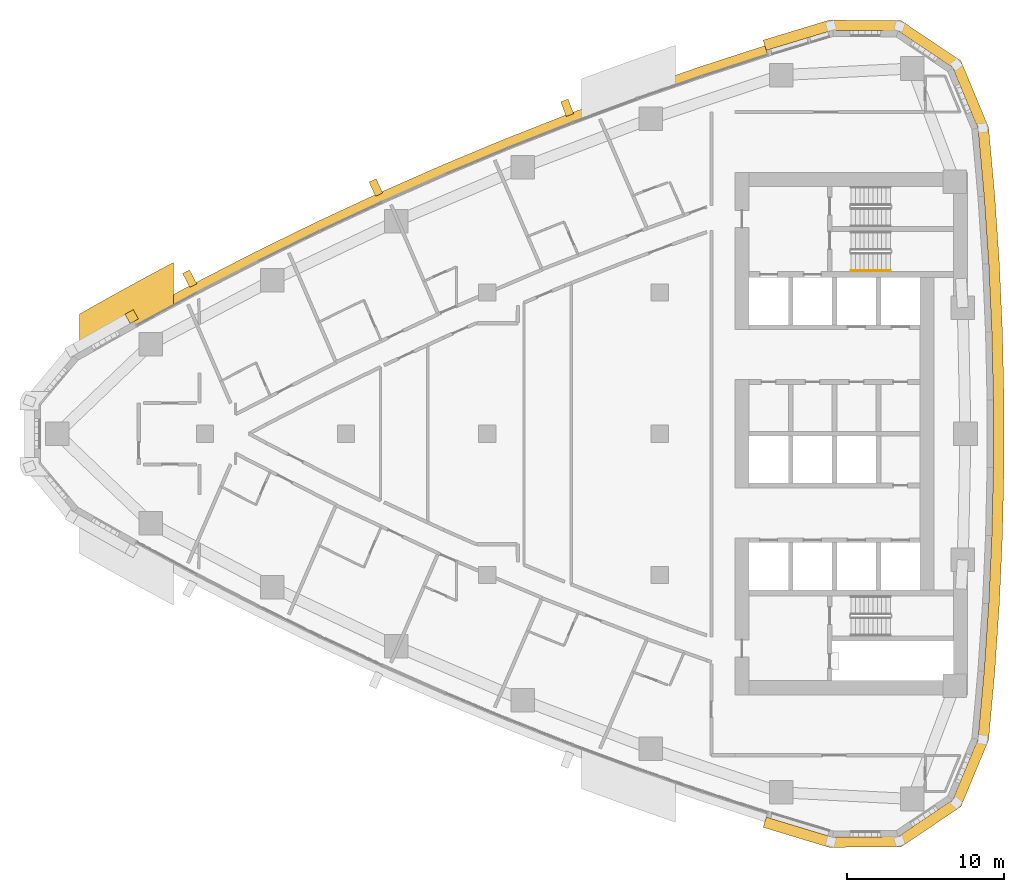
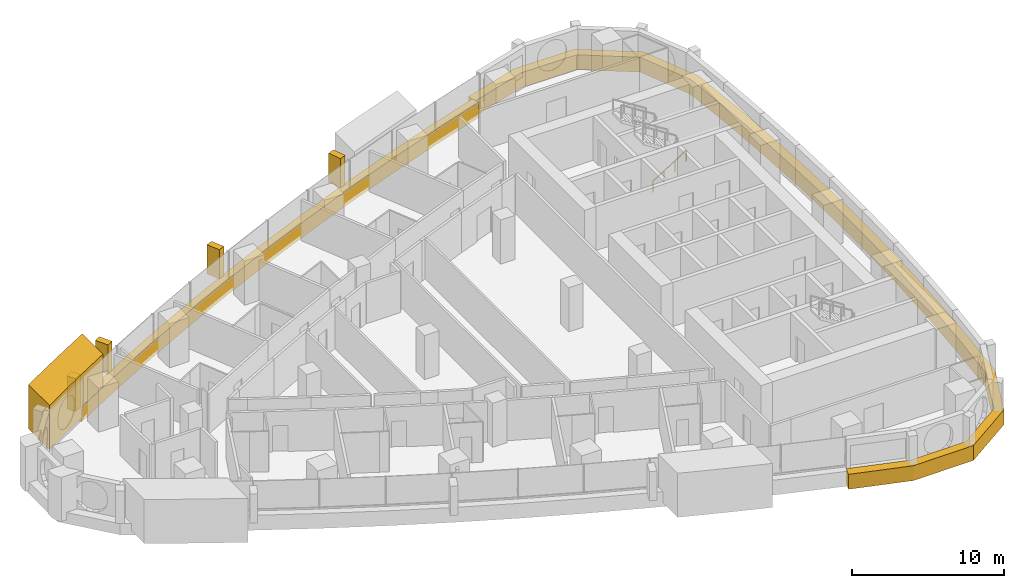
# One storey, part 16 of 17: 7 coverings, 1 railing.
"""IFC4 building model written with IfcOpenShell, lengths in metres."""

from ifc_helpers import new_model, si_unit, direction, frame, frame_2d, origin, origin_2d, place, context, subcontext, project, spatial, polyline, rectangle, circle, outline, extrude, material, layer, layer_set, type_object, element, save


model = new_model("IFC4")

# Units and contexts
model_context = context("Model", 3, precision=1e-05, world=origin(), true_north=direction((0.0, 1.0)))
body_context = subcontext(model_context, "Body", "Model", "MODEL_VIEW")
ifc_project = project(units=[si_unit("LENGTHUNIT", "METRE"), si_unit("AREAUNIT", "SQUARE_METRE"), si_unit("VOLUMEUNIT", "CUBIC_METRE"), si_unit("PLANEANGLEUNIT", "RADIAN"), si_unit("MASSUNIT", "GRAM", prefix="KILO")], contexts=[model_context])

# Site, building, storey
site_placement = place(None, origin())
site = spatial("IfcSite", under=ifc_project, at=site_placement, CompositionType="ELEMENT")
building_placement = place(site_placement, origin())
building = spatial("IfcBuilding", under=site, at=building_placement, Name="Ostrand Prow Hotel Tower", CompositionType="ELEMENT")
storey_placement = place(building_placement, frame((0.0, 0.0, 144.39990234375)))
storey = spatial("IfcBuildingStorey", under=building, at=storey_placement, Name="L35", CompositionType="ELEMENT", Elevation=144.39990234375)

# Coverings
ifc_material_1 = material(Name="Bronze anodised aluminium cladding", Category="aluminium")
ifc_layer_1 = layer(ifc_material_1, 0.60009765625)
ifc_layer_set_1 = layer_set([ifc_layer_1], Name="Bronze anodised aluminium cladding")
covering_type_1 = type_object("IfcCoveringType", Name="Bronze spandrel band 1200x600", PredefinedType="CLADDING", material=ifc_layer_set_1)
covering_1_placement = place(storey_placement, frame((0.0, 0.0, -0.2998046875)))
element("IfcCovering", 1, at=covering_1_placement, inside=storey, type_object=covering_type_1, Name="Spandrel band N1", PredefinedType="CLADDING", context=body_context, shape_type="SweptSolid", body=[
    extrude(outline(polyline([(51.705322265625, 24.74560546875), (47.522705078125, 23.385009765625), (43.368408203125, 21.9404296875), (39.243896484375, 20.41259765625), (35.15087890625, 18.80224609375), (31.091064453125, 17.110107421875), (27.06591796875, 15.336669921875), (23.077392578125, 13.482666015625), (19.126953125, 11.548828125), (15.21630859375, 9.535888671875), (11.3466796875, 7.445068359375), (11.63720703125, 6.920166015625), (15.49609375, 9.00537109375), (19.396240234375, 11.0126953125), (23.335693359375, 12.941162109375), (27.3134765625, 14.7900390625), (31.327392578125, 16.55859375), (35.376220703125, 18.24609375), (39.457763671875, 19.85205078125), (43.571044921875, 21.375732421875), (47.714111328125, 22.81640625), (51.88525390625, 24.17333984375), (51.705322265625, 24.74560546875)])), origin(), (0.0, 0.0, 1.0), 1.199951171875),
])
covering_2_placement = place(storey_placement, frame((0.0, 0.0, -0.2998046875)))
element("IfcCovering", 2, at=covering_2_placement, inside=storey, type_object=covering_type_1, Name="Spandrel band back 1", PredefinedType="CLADDING", context=body_context, shape_type="SweptSolid", body=[
    extrude(outline(polyline([(51.594970703125, -25.0966796875), (55.811279296875, -26.375244140625), (60.402099609375, -26.339111328125), (64.211181640625, -23.77587890625), (65.973388671875, -19.53662109375), (66.3662109375, -15.205322265625), (66.66064453125, -10.86669921875), (66.857177734375, -6.522216796875), (66.95556640625, -2.17431640625), (66.95556640625, 2.17431640625), (66.857177734375, 6.522216796875), (66.66064453125, 10.86669921875), (66.3662109375, 15.205322265625), (65.973388671875, 19.53662109375), (64.211181640625, 23.77587890625), (60.402099609375, 26.339111328125), (55.811279296875, 26.375244140625), (51.594970703125, 25.0966796875), (51.798828125, 24.447998046875), (56.001953125, 25.722412109375), (60.201171875, 25.689697265625), (63.68505859375, 23.34521484375), (65.296875, 19.467529296875), (65.688232421875, 15.151611328125), (65.981689453125, 10.828125), (66.177490234375, 6.4990234375), (66.275634765625, 2.166748046875), (66.275634765625, -2.166748046875), (66.177490234375, -6.4990234375), (65.981689453125, -10.828125), (65.688232421875, -15.151611328125), (65.296875, -19.467529296875), (63.68505859375, -23.34521484375), (60.201171875, -25.689697265625), (56.001953125, -25.722412109375), (51.798828125, -24.447998046875), (51.594970703125, -25.0966796875)])), origin(), (0.0, 0.0, 1.0), 1.199951171875),
])
ifc_material_2 = material(Name="Limestone cladding", Category="masonry")
ifc_layer_2 = layer(ifc_material_2, 5.0)
ifc_layer_set_2 = layer_set([ifc_layer_2], Name="Limestone cladding")
covering_type_2 = type_object("IfcCoveringType", Name="Portal jamb pilaster limestone", PredefinedType="CLADDING", material=ifc_layer_set_2)
covering_3_placement = place(storey_placement, origin())
element("IfcCovering", 3, at=covering_3_placement, inside=storey, type_object=covering_type_2, Name="Portal jamb NA L35", PredefinedType="CLADDING", context=body_context, shape_type="SweptSolid", body=[
    extrude(outline(polyline([(8.0, 4.861572265625), (9.0, 5.436767578125), (10.0, 6.0048828125), (11.0, 6.566162109375), (12.0, 7.12060546875), (13.0, 7.66796875), (14.0, 8.208740234375), (14.0, 10.92919921875), (13.0, 10.39599609375), (12.0, 9.856201171875), (11.0, 9.3095703125), (10.0, 8.75634765625), (9.0, 8.1962890625), (8.0, 7.62939453125), (8.0, 4.861572265625)])), origin(), (0.0, 0.0, 1.0), 3.550048828125),
])
ifc_material_3 = material(Name="Limestone cladding", Category="masonry")
ifc_layer_3 = layer(ifc_material_3, 0.5)
ifc_layer_set_3 = layer_set([ifc_layer_3], Name="Limestone cladding")
covering_type_3 = type_object("IfcCoveringType", Name="Precast stone fin 500x900", PredefinedType="CLADDING", material=ifc_layer_set_3)
covering_4_placement = place(storey_placement, frame((39.279541015625, 20.319091796875, 0.900146484375), z_axis=(0.0, 0.0, 1.0), x_axis=(-0.356868116991, 0.93415477683, 0.0)))
element("IfcCovering", 4, at=covering_4_placement, inside=storey, type_object=covering_type_3, Name="Stone fin N 4", PredefinedType="CLADDING", context=body_context, shape_type="SweptSolid", body=[
    extrude(rectangle(XDim=1.000244140625, YDim=0.5, at=frame_2d((0.5, 0.0))), origin(), (0.0, 0.0, 1.0), 2.349853515625),
])
covering_5_placement = place(storey_placement, frame((27.107177734375, 15.24560546875, 0.900146484375), z_axis=(0.0, 0.0, 1.0), x_axis=(-0.412404328124, 0.911000916654, 0.0)))
element("IfcCovering", 5, at=covering_5_placement, inside=storey, type_object=covering_type_3, Name="Stone fin N 7", PredefinedType="CLADDING", context=body_context, shape_type="SweptSolid", body=[
    extrude(rectangle(XDim=0.999755859375, YDim=0.5, at=frame_2d((0.5, 0.0))), origin(), (0.0, 0.0, 1.0), 2.349853515625),
])
covering_6_placement = place(storey_placement, frame((15.2626953125, 9.447509765625, 0.900146484375), z_axis=(0.0, 0.0, 1.0), x_axis=(-0.466350109869, 0.884600234584, 0.0)))
element("IfcCovering", 6, at=covering_6_placement, inside=storey, type_object=covering_type_3, Name="Stone fin N 10", PredefinedType="CLADDING", context=body_context, shape_type="SweptSolid", body=[
    extrude(rectangle(XDim=1.0, YDim=0.5, at=frame_2d((0.5, 0.0))), origin(), (0.0, 0.0, 1.0), 2.349853515625),
])
ifc_material_4 = material(Name="Limestone cladding", Category="masonry")
ifc_layer_4 = layer(ifc_material_4, 0.60009765625)
ifc_layer_set_4 = layer_set([ifc_layer_4], Name="Limestone cladding")
covering_type_4 = type_object("IfcCoveringType", Name="Precast stone prow rib 600x600", PredefinedType="CLADDING", material=ifc_layer_set_4)
covering_7_placement = place(storey_placement, frame((11.497802734375, 7.171875, 0.60009765625), z_axis=(0.0, 0.0, 1.0), x_axis=(-0.484301161624, 0.874901357211, 0.0)))
element("IfcCovering", 7, at=covering_7_placement, inside=storey, type_object=covering_type_4, Name="Stone prow rib 1", PredefinedType="CLADDING", context=body_context, shape_type="SweptSolid", body=[
    extrude(rectangle(XDim=0.679931640625, YDim=0.60009765625, at=frame_2d((0.33984375, 0.0))), origin(), (0.0, 0.0, 1.0), 2.64990234375),
])

# Railing
ifc_material_5 = material(Name="Stainless steel", Category="steel")
railing_type = type_object("IfcRailingType", Name="Stair handrail 900", PredefinedType="HANDRAIL", material=ifc_material_5)
railing_placement = place(storey_placement, frame((57.199951171875, 10.39990234375, 0.177490234375)))
element("IfcRailing", 8, at=railing_placement, inside=storey, type_object=railing_type, Name="L35 ST1C stair handrail 1", PredefinedType="HANDRAIL", context=body_context, shape_type="SweptSolid", body=[
    extrude(circle(Radius=0.02392578125, at=origin_2d()), frame((0.0, 0.0, 0.8759765625), z_axis=(0.84456994832, 0.0, 0.535445237532), x_axis=(0.0, 1.0, 0.0)), (0.0, 0.0, 1.0), 2.98388671875),
    extrude(circle(Radius=0.02099609375, at=origin_2d()), origin(), (0.0, 0.0, 1.0), 0.851806640625),
    extrude(circle(Radius=0.02099609375, at=origin_2d()), frame((0.840087890625, 0.0, 0.532470703125)), (0.0, 0.0, 1.0), 0.851806640625),
    extrude(circle(Radius=0.02099609375, at=origin_2d()), frame((1.679931640625, 0.0, 1.065185546875)), (0.0, 0.0, 1.0), 0.851806640625),
    extrude(circle(Radius=0.02099609375, at=origin_2d()), frame((2.52001953125, 0.0, 1.59765625)), (0.0, 0.0, 1.0), 0.851806640625),
])

save(model, "model.ifc")
